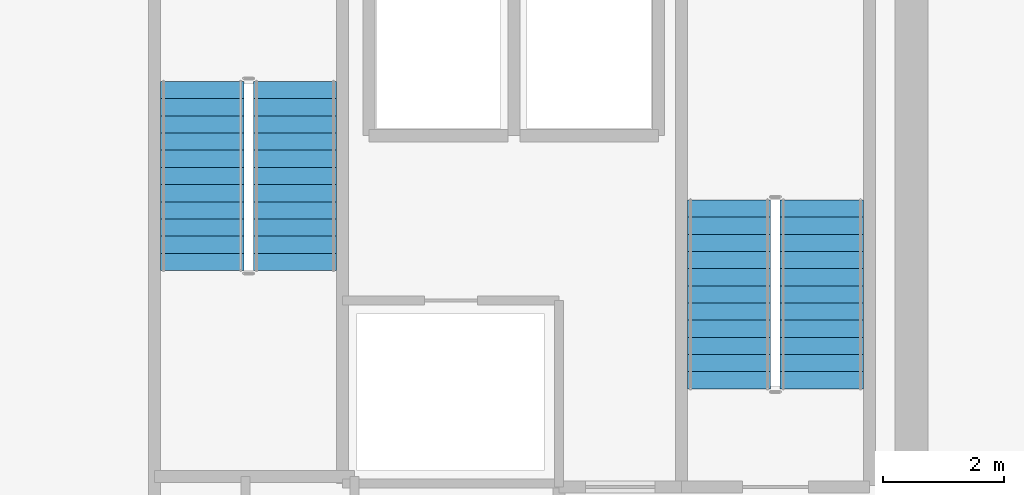
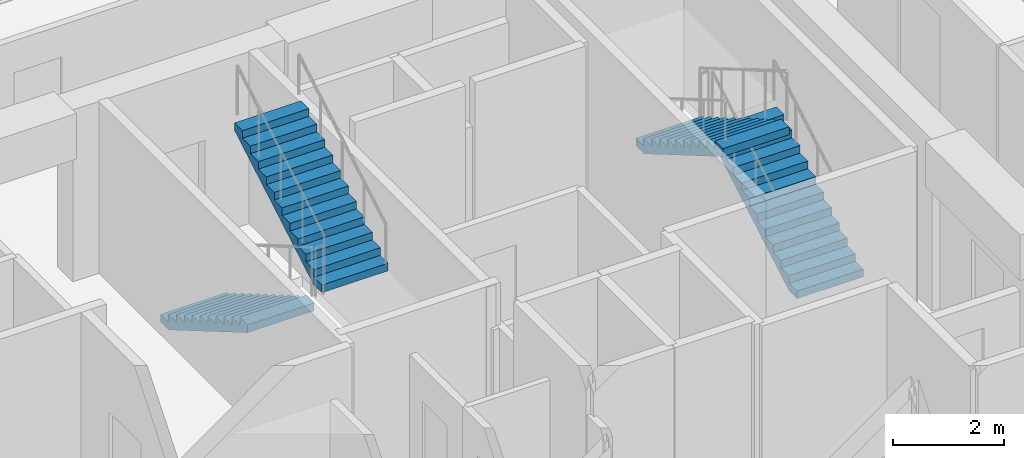
# One storey, part 17 of 23: 4 stair flights, 2 elements without a shape of their own.
"""IFC4 building model written with IfcOpenShell, lengths in metres."""

from ifc_helpers import new_model, si_unit, direction, frame, origin, place, context, subcontext, project, spatial, polyline, outline, extrude, material, type_object, element, aggregate, save


model = new_model("IFC4")

# Units and contexts
model_context = context("Model", 3, precision=1e-05, world=origin(), true_north=direction((0.0, 1.0)))
body_context = subcontext(model_context, "Body", "Model", "MODEL_VIEW")
ifc_project = project(units=[si_unit("LENGTHUNIT", "METRE"), si_unit("AREAUNIT", "SQUARE_METRE"), si_unit("VOLUMEUNIT", "CUBIC_METRE"), si_unit("PLANEANGLEUNIT", "RADIAN"), si_unit("MASSUNIT", "GRAM", prefix="KILO")], contexts=[model_context])

# Site, building, storey
site_placement = place(None, origin())
site = spatial("IfcSite", under=ifc_project, at=site_placement, CompositionType="ELEMENT")
building_placement = place(site_placement, origin())
building = spatial("IfcBuilding", under=site, at=building_placement, Name="Kovane Verandah Tower", CompositionType="ELEMENT")
storey_placement = place(building_placement, frame((0.0, 0.0, 140.39990234375)))
storey = spatial("IfcBuildingStorey", under=building, at=storey_placement, Name="L32", CompositionType="ELEMENT", Elevation=140.39990234375)

# Stair, stair flights
ifc_material = material(Name="Concrete C45/55", Category="concrete")
stair_type = type_object("IfcStairType", Name="ST-CORE-1380", PredefinedType="HALF_TURN_STAIR", material=ifc_material)
stair_1_placement = place(storey_placement, origin())
stair_1 = element("IfcStair", 1, at=stair_1_placement, inside=storey, type_object=stair_type, Name="L32 Exit Stair ST-02", PredefinedType="HALF_TURN_STAIR")
stair_flight_type = type_object("IfcStairFlightType", Name="STF-CORE-1380", PredefinedType="STRAIGHT", material=ifc_material)
stair_flight_1_placement = place(storey_placement, frame((49.510009765625, 29.25, 0.0), z_axis=(0.0, 0.0, 1.0), x_axis=(0.0, 1.0, 0.0)))
stair_flight_1 = element("IfcStairFlight", 2, at=stair_flight_1_placement, type_object=stair_flight_type, Name="ST-02 flight 1", NumberOfRisers=12, NumberOfTreads=11, PredefinedType="STRAIGHT", RiserHeight=0.166666667, TreadLength=0.285, context=body_context, shape_type="SweptSolid", body=[
    extrude(outline(polyline([(0.0, 0.0), (0.0, 0.166748046875), (0.284912109375, 0.166748046875), (0.284912109375, 0.333251953125), (0.570068359375, 0.333251953125), (0.570068359375, 0.5), (0.85498046875, 0.5), (0.85498046875, 0.666748046875), (1.139892578125, 0.666748046875), (1.139892578125, 0.833251953125), (1.425048828125, 0.833251953125), (1.425048828125, 1.0), (1.7099609375, 1.0), (1.7099609375, 1.166748046875), (1.9951171875, 1.166748046875), (1.9951171875, 1.333251953125), (2.280029296875, 1.333251953125), (2.280029296875, 1.5), (2.56494140625, 1.5), (2.56494140625, 1.666748046875), (2.85009765625, 1.666748046875), (2.85009765625, 1.833251953125), (3.135009765625, 1.833251953125), (3.135009765625, 2.0), (3.135009765625, 1.65966796875), (0.296875, 0.0), (0.0, 0.0)])), frame((0.0, 0.68994140625, 0.0), z_axis=(0.0, -1.0, 0.0), x_axis=(1.0, 0.0, 0.0)), (0.0, 0.0, 1.0), 1.3798828125),
])
stair_flight_2_placement = place(storey_placement, frame((47.969970703125, 32.385009765625, 2.0), z_axis=(0.0, 0.0, 1.0), x_axis=(0.0, -1.0, 0.0)))
stair_flight_2 = element("IfcStairFlight", 3, at=stair_flight_2_placement, type_object=stair_flight_type, Name="ST-02 flight 2", NumberOfRisers=12, NumberOfTreads=11, PredefinedType="STRAIGHT", RiserHeight=0.166666667, TreadLength=0.285, context=body_context, shape_type="SweptSolid", body=[
    extrude(outline(polyline([(0.0, 0.0), (0.0, 0.166748046875), (0.284912109375, 0.166748046875), (0.284912109375, 0.333251953125), (0.570068359375, 0.333251953125), (0.570068359375, 0.5), (0.85498046875, 0.5), (0.85498046875, 0.666748046875), (1.139892578125, 0.666748046875), (1.139892578125, 0.833251953125), (1.425048828125, 0.833251953125), (1.425048828125, 1.0), (1.7099609375, 1.0), (1.7099609375, 1.166748046875), (1.9951171875, 1.166748046875), (1.9951171875, 1.333251953125), (2.280029296875, 1.333251953125), (2.280029296875, 1.5), (2.56494140625, 1.5), (2.56494140625, 1.666748046875), (2.85009765625, 1.666748046875), (2.85009765625, 1.833251953125), (3.135009765625, 1.833251953125), (3.135009765625, 2.0), (3.135009765625, 1.65966796875), (0.296875, 0.0), (0.0, 0.0)])), frame((0.0, 0.68994140625, 0.0), z_axis=(0.0, -1.0, 0.0), x_axis=(1.0, 0.0, 0.0)), (0.0, 0.0, 1.0), 1.3798828125),
])
aggregate(stair_1, [stair_flight_1, stair_flight_2])

stair_2_placement = place(storey_placement, origin())
stair_2 = element("IfcStair", 4, at=stair_2_placement, inside=storey, type_object=stair_type, Name="L32 Exit Stair ST-03", PredefinedType="HALF_TURN_STAIR")
stair_flight_3_placement = place(storey_placement, frame((39.22998046875, 34.35009765625, 0.0), z_axis=(0.0, 0.0, 1.0), x_axis=(0.0, -1.0, 0.0)))
stair_flight_3 = element("IfcStairFlight", 5, at=stair_flight_3_placement, type_object=stair_flight_type, Name="ST-03 flight 1", NumberOfRisers=12, NumberOfTreads=11, PredefinedType="STRAIGHT", RiserHeight=0.166666667, TreadLength=0.285, context=body_context, shape_type="SweptSolid", body=[
    extrude(outline(polyline([(0.0, 0.0), (0.0, 0.166748046875), (0.284912109375, 0.166748046875), (0.284912109375, 0.333251953125), (0.570068359375, 0.333251953125), (0.570068359375, 0.5), (0.85498046875, 0.5), (0.85498046875, 0.666748046875), (1.139892578125, 0.666748046875), (1.139892578125, 0.833251953125), (1.425048828125, 0.833251953125), (1.425048828125, 1.0), (1.7099609375, 1.0), (1.7099609375, 1.166748046875), (1.9951171875, 1.166748046875), (1.9951171875, 1.333251953125), (2.280029296875, 1.333251953125), (2.280029296875, 1.5), (2.56494140625, 1.5), (2.56494140625, 1.666748046875), (2.85009765625, 1.666748046875), (2.85009765625, 1.833251953125), (3.135009765625, 1.833251953125), (3.135009765625, 2.0), (3.135009765625, 1.65966796875), (0.296875, 0.0), (0.0, 0.0)])), frame((0.0, 0.68994140625, 0.0), z_axis=(0.0, -1.0, 0.0), x_axis=(1.0, 0.0, 0.0)), (0.0, 0.0, 1.0), 1.3798828125),
])
stair_flight_4_placement = place(storey_placement, frame((40.77001953125, 31.215087890625, 2.0), z_axis=(0.0, 0.0, 1.0), x_axis=(0.0, 1.0, 0.0)))
stair_flight_4 = element("IfcStairFlight", 6, at=stair_flight_4_placement, type_object=stair_flight_type, Name="ST-03 flight 2", NumberOfRisers=12, NumberOfTreads=11, PredefinedType="STRAIGHT", RiserHeight=0.166666667, TreadLength=0.285, context=body_context, shape_type="SweptSolid", body=[
    extrude(outline(polyline([(0.0, 0.0), (0.0, 0.166748046875), (0.284912109375, 0.166748046875), (0.284912109375, 0.333251953125), (0.570068359375, 0.333251953125), (0.570068359375, 0.5), (0.85498046875, 0.5), (0.85498046875, 0.666748046875), (1.139892578125, 0.666748046875), (1.139892578125, 0.833251953125), (1.425048828125, 0.833251953125), (1.425048828125, 1.0), (1.7099609375, 1.0), (1.7099609375, 1.166748046875), (1.9951171875, 1.166748046875), (1.9951171875, 1.333251953125), (2.280029296875, 1.333251953125), (2.280029296875, 1.5), (2.56494140625, 1.5), (2.56494140625, 1.666748046875), (2.85009765625, 1.666748046875), (2.85009765625, 1.833251953125), (3.135009765625, 1.833251953125), (3.135009765625, 2.0), (3.135009765625, 1.65966796875), (0.296875, 0.0), (0.0, 0.0)])), frame((0.0, 0.68994140625, 0.0), z_axis=(0.0, -1.0, 0.0), x_axis=(1.0, 0.0, 0.0)), (0.0, 0.0, 1.0), 1.3798828125),
])
aggregate(stair_2, [stair_flight_3, stair_flight_4])

save(model, "model.ifc")
